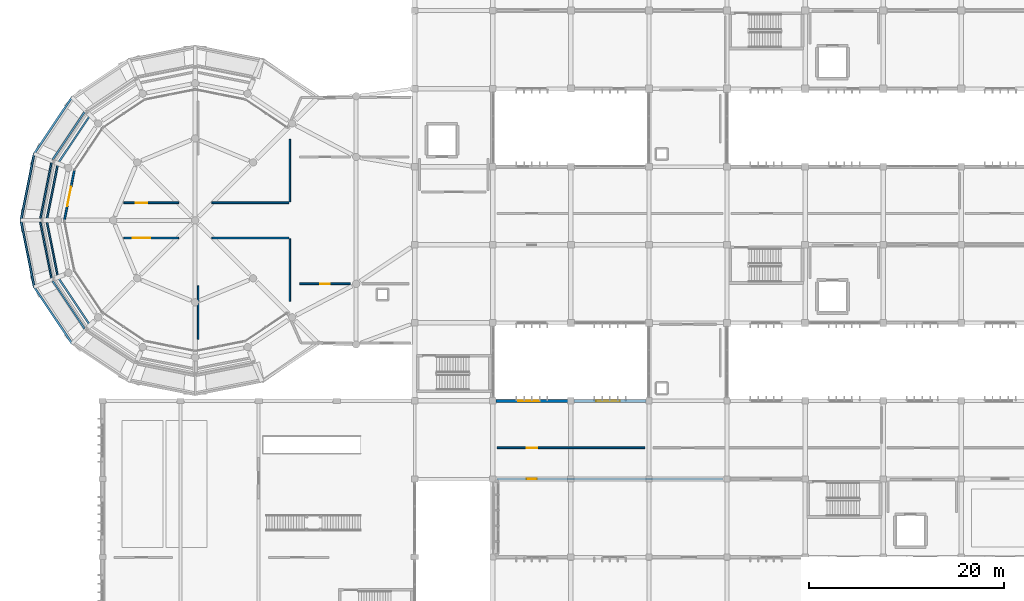
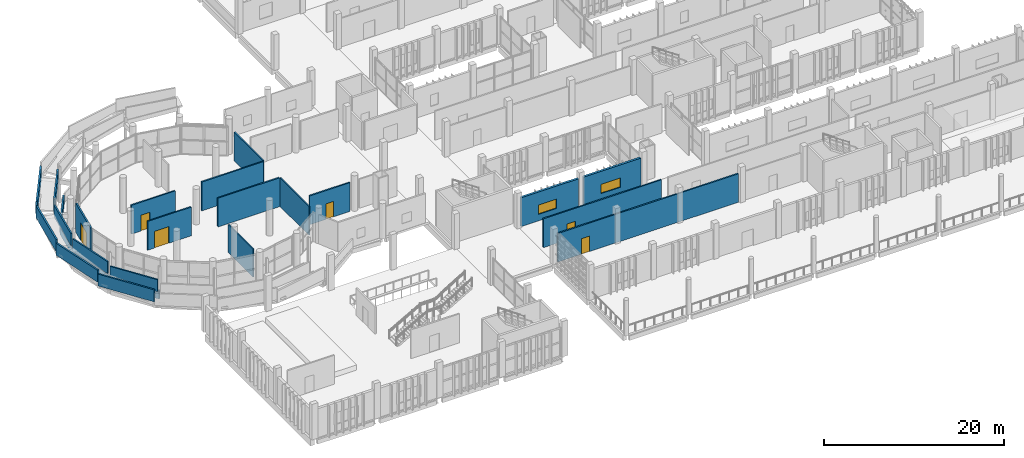
# One storey, part 78 of 106: 25 walls, 6 doors, 2 windows, 8 openings.
"""IFC4 building model written with IfcOpenShell, lengths in metres."""

from ifc_helpers import new_model, si_unit, direction, frame, frame_2d, origin, place, context, subcontext, project, spatial, rectangle, extrude, material, layer, layer_set, type_object, element, fill, save


model = new_model("IFC4")

# Units and contexts
model_context = context("Model", 3, precision=1e-05, world=origin(), true_north=direction((0.0, 1.0)))
body_context = subcontext(model_context, "Body", "Model", "MODEL_VIEW")
ifc_project = project(units=[si_unit("LENGTHUNIT", "METRE"), si_unit("AREAUNIT", "SQUARE_METRE"), si_unit("VOLUMEUNIT", "CUBIC_METRE"), si_unit("PLANEANGLEUNIT", "RADIAN"), si_unit("MASSUNIT", "GRAM", prefix="KILO")], contexts=[model_context])

# Site, building, storey
site_placement = place(None, origin())
site = spatial("IfcSite", under=ifc_project, at=site_placement, CompositionType="ELEMENT")
building_placement = place(site_placement, origin())
building = spatial("IfcBuilding", under=site, at=building_placement, Name="Jelvoka-Kovrelna Polytechnic", CompositionType="ELEMENT")
storey_placement = place(building_placement, frame((0.0, 0.0, 4.800048828125)))
storey = spatial("IfcBuildingStorey", under=building, at=storey_placement, Name="L02", CompositionType="ELEMENT", Elevation=4.800048828125)

# Wall, opening, door
ifc_material_1 = material(Name="Autoclaved aerated concrete blockwork", Category="masonry")
ifc_layer_1 = layer(ifc_material_1, 0.179931640625)
ifc_layer_set_1 = layer_set([ifc_layer_1], Name="Autoclaved aerated concrete blockwork")
wall_type_1 = type_object("IfcWallType", Name="Wall_Corridor_180", PredefinedType="PARTITIONING", material=ifc_layer_set_1)
wall_1_placement = place(storey_placement, frame((56.429931640625, 16.0, 0.0), z_axis=(0.0, 0.0, 1.0), x_axis=(1.0, 0.0, 0.0)))
wall_1 = element("IfcWall", 1, at=wall_1_placement, inside=storey, type_object=wall_type_1, Name="L02 interior wall 0946", PredefinedType="PARTITIONING", context=body_context, shape_type="SweptSolid", body=[
    extrude(rectangle(XDim=23.14013671875, YDim=0.179931640625, at=frame_2d((11.570068359375, 0.0))), origin(), (0.0, 0.0, 1.0), 3.85986328125),
])
opening_1_placement = place(wall_1_placement, frame((3.06005859375, 0.0, 0.0)))
opening_1 = element("IfcOpeningElement", 2, at=opening_1_placement, cuts=wall_1, Name="Opening D-L02-220", PredefinedType="OPENING", context=body_context, shape_type="SweptSolid", body=[
    extrude(rectangle(XDim=1.02001953125, YDim=2.10009765625, at=frame_2d((0.510009765625, 1.050048828125))), frame((0.0, 0.099853515625, 0.0), z_axis=(0.0, -1.0, 0.0), x_axis=(1.0, 0.0, 0.0)), (0.0, 0.0, 1.0), 0.199951171875),
])
ifc_material_2 = material(Name="Hardwood solid-core door", Category="wood")
door_type_1 = type_object("IfcDoorType", Name="Door_Int_D04", OperationType="NOTDEFINED", PredefinedType="DOOR", material=ifc_material_2)
door_1_placement = place(opening_1_placement, origin())
door_1 = element("IfcDoor", 3, at=door_1_placement, inside=storey, type_object=door_type_1, Name="L02 interior door D-L02-220", OperationType="SINGLE_SWING_LEFT", OverallHeight=2.10009765625, OverallWidth=1.02001953125, PredefinedType="DOOR", context=body_context, shape_type="SweptSolid", body=[
    extrude(rectangle(XDim=1.02001953125, YDim=2.10009765625, at=frame_2d((0.510009765625, 1.050048828125))), frame((0.0, 0.02490234375, 0.0), z_axis=(0.0, -1.0, 0.0), x_axis=(1.0, 0.0, 0.0)), (0.0, 0.0, 1.0), 0.050048828125),
])
fill(opening_1, door_1)

wall_2_placement = place(storey_placement, frame((56.429931640625, 19.199951171875, 0.0), z_axis=(0.0, 0.0, 1.0), x_axis=(1.0, 0.0, 0.0)))
wall_2 = element("IfcWall", 4, at=wall_2_placement, inside=storey, type_object=wall_type_1, Name="L02 interior wall 0952", PredefinedType="PARTITIONING", context=body_context, shape_type="SweptSolid", body=[
    extrude(rectangle(XDim=15.14013671875, YDim=0.179931640625, at=frame_2d((7.570068359375, 0.0))), origin(), (0.0, 0.0, 1.0), 3.89990234375),
])
opening_2_placement = place(wall_2_placement, frame((3.030029296875, 0.0, 0.0)))
opening_2 = element("IfcOpeningElement", 5, at=opening_2_placement, cuts=wall_2, Name="Opening D-L02-225", PredefinedType="OPENING", context=body_context, shape_type="SweptSolid", body=[
    extrude(rectangle(XDim=1.080078125, YDim=2.14990234375, at=frame_2d((0.5400390625, 1.074951171875))), frame((0.0, 0.099853515625, 0.0), z_axis=(0.0, -1.0, 0.0), x_axis=(1.0, 0.0, 0.0)), (0.0, 0.0, 1.0), 0.199951171875),
])
ifc_material_3 = material(Name="Hardwood acoustic seminar door", Category="wood")
door_type_2 = type_object("IfcDoorType", Name="Door_Int_D10", OperationType="NOTDEFINED", PredefinedType="DOOR", material=ifc_material_3)
door_2_placement = place(opening_2_placement, origin())
door_2 = element("IfcDoor", 6, at=door_2_placement, inside=storey, type_object=door_type_2, Name="L02 interior door D-L02-225", OperationType="SINGLE_SWING_RIGHT", OverallHeight=2.14990234375, OverallWidth=1.080078125, PredefinedType="DOOR", context=body_context, shape_type="SweptSolid", body=[
    extrude(rectangle(XDim=1.080078125, YDim=2.14990234375, at=frame_2d((0.5400390625, 1.074951171875))), frame((0.0, 0.02490234375, 0.0), z_axis=(0.0, -1.0, 0.0), x_axis=(1.0, 0.0, 0.0)), (0.0, 0.0, 1.0), 0.050048828125),
])
fill(opening_2, door_2)

wall_3_placement = place(storey_placement, frame((36.199951171875, 36.0, 0.0), z_axis=(0.0, 0.0, 1.0), x_axis=(1.0, 0.0, 0.0)))
wall_3 = element("IfcWall", 7, at=wall_3_placement, inside=storey, type_object=wall_type_1, Name="L02 interior wall 1013", PredefinedType="PARTITIONING", context=body_context, shape_type="SweptSolid", body=[
    extrude(rectangle(XDim=5.199951171875, YDim=0.179931640625, at=frame_2d((2.60009765625, 0.0))), origin(), (0.0, 0.0, 1.0), 3.89990234375),
])
opening_3_placement = place(wall_3_placement, frame((2.1298828125, 0.0, 0.0)))
opening_3 = element("IfcOpeningElement", 8, at=opening_3_placement, cuts=wall_3, Name="Opening D-L02-266", PredefinedType="OPENING", context=body_context, shape_type="SweptSolid", body=[
    extrude(rectangle(XDim=0.93994140625, YDim=2.10009765625, at=frame_2d((0.469970703125, 1.050048828125))), frame((0.0, 0.099853515625, 0.0), z_axis=(0.0, -1.0, 0.0), x_axis=(1.0, 0.0, 0.0)), (0.0, 0.0, 1.0), 0.199951171875),
])
ifc_material_4 = material(Name="Hardwood solid-core door", Category="wood")
door_type_3 = type_object("IfcDoorType", Name="Door_Int_D02", OperationType="NOTDEFINED", PredefinedType="DOOR", material=ifc_material_4)
door_3_placement = place(opening_3_placement, origin())
door_3 = element("IfcDoor", 9, at=door_3_placement, inside=storey, type_object=door_type_3, Name="L02 interior door D-L02-266", OperationType="SINGLE_SWING_LEFT", OverallHeight=2.10009765625, OverallWidth=0.93994140625, PredefinedType="DOOR", context=body_context, shape_type="SweptSolid", body=[
    extrude(rectangle(XDim=0.93994140625, YDim=2.10009765625, at=frame_2d((0.469970703125, 1.050048828125))), frame((0.0, 0.02490234375, 0.0), z_axis=(0.0, -1.0, 0.0), x_axis=(1.0, 0.0, 0.0)), (0.0, 0.0, 1.0), 0.050048828125),
])
fill(opening_3, door_3)

# Wall
wall_4_placement = place(storey_placement, frame((27.199951171875, 40.699951171875, 0.0), z_axis=(0.0, 0.0, 1.0), x_axis=(1.0, 0.0, 0.0)))
element("IfcWall", 10, at=wall_4_placement, inside=storey, type_object=wall_type_1, Name="L02 interior wall 1017", PredefinedType="PARTITIONING", context=body_context, shape_type="SweptSolid", body=[
    extrude(rectangle(XDim=7.900146484375, YDim=0.179931640625, at=frame_2d((3.9501953125, 0.0))), origin(), (0.0, 0.0, 1.0), 3.89990234375),
])

# Wall, opening, door
wall_5_placement = place(storey_placement, frame((18.199951171875, 40.699951171875, 0.0), z_axis=(0.0, 0.0, 1.0), x_axis=(1.0, 0.0, 0.0)))
wall_5 = element("IfcWall", 11, at=wall_5_placement, inside=storey, type_object=wall_type_1, Name="L02 interior wall 1019", PredefinedType="PARTITIONING", context=body_context, shape_type="SweptSolid", body=[
    extrude(rectangle(XDim=5.60009765625, YDim=0.179931640625, at=frame_2d((2.800048828125, 0.0))), origin(), (0.0, 0.0, 1.0), 3.89990234375),
])
opening_4_placement = place(wall_5_placement, frame((0.889892578125, 0.0, 0.0)))
opening_4 = element("IfcOpeningElement", 12, at=opening_4_placement, cuts=wall_5, Name="Opening D-L02-268", PredefinedType="OPENING", context=body_context, shape_type="SweptSolid", body=[
    extrude(rectangle(XDim=1.820068359375, YDim=2.25, at=frame_2d((0.91015625, 1.125))), frame((0.0, 0.099853515625, 0.0), z_axis=(0.0, -1.0, 0.0), x_axis=(1.0, 0.0, 0.0)), (0.0, 0.0, 1.0), 0.199951171875),
])
ifc_material_5 = material(Name="Paired hardwood fire-resisting assembly door", Category="wood")
door_type_4 = type_object("IfcDoorType", Name="Door_Fire_FD30_10", OperationType="NOTDEFINED", PredefinedType="DOOR", material=ifc_material_5)
door_4_placement = place(opening_4_placement, origin())
door_4 = element("IfcDoor", 13, at=door_4_placement, inside=storey, type_object=door_type_4, Name="L02 interior door D-L02-268", OperationType="DOUBLE_DOOR_SINGLE_SWING", OverallHeight=2.25, OverallWidth=1.820068359375, PredefinedType="DOOR", context=body_context, shape_type="SweptSolid", body=[
    extrude(rectangle(XDim=1.820068359375, YDim=2.25, at=frame_2d((0.91015625, 1.125))), frame((0.0, 0.02490234375, 0.0), z_axis=(0.0, -1.0, 0.0), x_axis=(1.0, 0.0, 0.0)), (0.0, 0.0, 1.0), 0.050048828125),
])
fill(opening_4, door_4)

# Wall
wall_6_placement = place(storey_placement, frame((27.199951171875, 44.300048828125, 0.0), z_axis=(0.0, 0.0, 1.0), x_axis=(1.0, 0.0, 0.0)))
element("IfcWall", 14, at=wall_6_placement, inside=storey, type_object=wall_type_1, Name="L02 interior wall 1020", PredefinedType="PARTITIONING", context=body_context, shape_type="SweptSolid", body=[
    extrude(rectangle(XDim=7.900146484375, YDim=0.179931640625, at=frame_2d((3.9501953125, 0.0))), origin(), (0.0, 0.0, 1.0), 3.89990234375),
])

# Wall, opening, door
wall_7_placement = place(storey_placement, frame((18.199951171875, 44.300048828125, 0.0), z_axis=(0.0, 0.0, 1.0), x_axis=(1.0, 0.0, 0.0)))
wall_7 = element("IfcWall", 15, at=wall_7_placement, inside=storey, type_object=wall_type_1, Name="L02 interior wall 1022", PredefinedType="PARTITIONING", context=body_context, shape_type="SweptSolid", body=[
    extrude(rectangle(XDim=5.60009765625, YDim=0.179931640625, at=frame_2d((2.800048828125, 0.0))), origin(), (0.0, 0.0, 1.0), 3.89990234375),
])
opening_5_placement = place(wall_7_placement, frame((1.22998046875, 0.0, 0.0)))
opening_5 = element("IfcOpeningElement", 16, at=opening_5_placement, cuts=wall_7, Name="Opening D-L02-269", PredefinedType="OPENING", context=body_context, shape_type="SweptSolid", body=[
    extrude(rectangle(XDim=1.139892578125, YDim=2.14990234375, at=frame_2d((0.56982421875, 1.074951171875))), frame((0.0, 0.099853515625, 0.0), z_axis=(0.0, -1.0, 0.0), x_axis=(1.0, 0.0, 0.0)), (0.0, 0.0, 1.0), 0.199951171875),
])
ifc_material_6 = material(Name="Laboratory vision-panel door", Category="wood")
door_type_5 = type_object("IfcDoorType", Name="Door_Int_D11", OperationType="NOTDEFINED", PredefinedType="DOOR", material=ifc_material_6)
door_5_placement = place(opening_5_placement, origin())
door_5 = element("IfcDoor", 17, at=door_5_placement, inside=storey, type_object=door_type_5, Name="L02 interior door D-L02-269", OperationType="SINGLE_SWING_LEFT", OverallHeight=2.14990234375, OverallWidth=1.139892578125, PredefinedType="DOOR", context=body_context, shape_type="SweptSolid", body=[
    extrude(rectangle(XDim=1.139892578125, YDim=2.14990234375, at=frame_2d((0.56982421875, 1.074951171875))), frame((0.0, 0.02490234375, 0.0), z_axis=(0.0, -1.0, 0.0), x_axis=(1.0, 0.0, 0.0)), (0.0, 0.0, 1.0), 0.050048828125),
])
fill(opening_5, door_5)

ifc_material_7 = material(Name="Precast concrete C40/50", Category="concrete")
ifc_layer_2 = layer(ifc_material_7, 0.18505859375)
ifc_layer_set_2 = layer_set([ifc_layer_2], Name="Precast concrete C40/50")
wall_type_2 = type_object("IfcWallType", Name="Wall_Ext_White_260", PredefinedType="STANDARD", material=ifc_layer_set_2)
wall_8_placement = place(storey_placement, frame((12.10009765625, 42.5, 0.0), z_axis=(0.0, 0.0, 1.0), x_axis=(0.195092326952, 0.980784881595, 0.0)))
wall_8 = element("IfcWall", 18, at=wall_8_placement, inside=storey, type_object=wall_type_2, Name="L02 exterior wall 0975", PredefinedType="STANDARD", context=body_context, shape_type="SweptSolid", body=[
    extrude(rectangle(XDim=5.228515625, YDim=0.18505859375, at=frame_2d((2.6142578125, 0.0))), origin(), (0.0, 0.0, 1.0), 3.949951171875),
])
opening_6_placement = place(wall_8_placement, frame((1.5, 0.0, 0.0)))
opening_6 = element("IfcOpeningElement", 19, at=opening_6_placement, cuts=wall_8, Name="Opening E-L02-031", PredefinedType="OPENING", context=body_context, shape_type="SweptSolid", body=[
    extrude(rectangle(XDim=2.0, YDim=2.39990234375, at=frame_2d((1.0, 1.199951171875))), frame((0.0, 0.1025390625, 0.0), z_axis=(0.0, -1.0, 0.0), x_axis=(1.0, 0.0, 0.0)), (0.0, 0.0, 1.0), 0.205078125),
])
ifc_material_8 = material(Name="Powder-coated aluminium and laminated safety glass", Category="aluminium")
door_type_6 = type_object("IfcDoorType", Name="Door_Ext_Exit_2000x2400", OperationType="NOTDEFINED", PredefinedType="DOOR", material=ifc_material_8)
door_6_placement = place(opening_6_placement, origin())
door_6 = element("IfcDoor", 20, at=door_6_placement, inside=storey, type_object=door_type_6, Name="L02 exterior door E-L02-031", OperationType="DOUBLE_DOOR_SINGLE_SWING", OverallHeight=2.39990234375, OverallWidth=2.0, PredefinedType="DOOR", context=body_context, shape_type="SweptSolid", body=[
    extrude(rectangle(XDim=2.0, YDim=2.39990234375, at=frame_2d((1.0, 1.199951171875))), frame((0.0, 0.02490234375, 0.0), z_axis=(0.0, -1.0, 0.0), x_axis=(1.0, 0.0, 0.0)), (0.0, 0.0, 1.0), 0.050048828125),
])
fill(opening_6, door_6)

# Wall, opening, window
ifc_material_9 = material(Name="Precast concrete C40/50", Category="concrete")
ifc_layer_3 = layer(ifc_material_9, 0.280029296875)
ifc_layer_set_3 = layer_set([ifc_layer_3], Name="Precast concrete C40/50")
wall_type_3 = type_object("IfcWallType", Name="Wall_Ext_White_280", PredefinedType="STANDARD", material=ifc_layer_set_3)
wall_9_placement = place(storey_placement, frame((56.322021484375, 24.0, 0.0), z_axis=(0.0, 0.0, 1.0), x_axis=(1.0, 0.0, 0.0)))
wall_9 = element("IfcWall", 21, at=wall_9_placement, inside=storey, type_object=wall_type_3, Name="L02 exterior wall 0257", PredefinedType="STANDARD", context=body_context, shape_type="SweptSolid", body=[
    extrude(rectangle(XDim=7.35595703125, YDim=0.280029296875, at=frame_2d((3.677978515625, 0.0))), origin(), (0.0, 0.0, 1.0), 3.909912109375),
])
opening_7_placement = place(wall_9_placement, frame((2.258056640625, 0.0, 0.89990234375)))
opening_7 = element("IfcOpeningElement", 22, at=opening_7_placement, cuts=wall_9, Name="Opening W-L02-023", PredefinedType="OPENING", context=body_context, shape_type="SweptSolid", body=[
    extrude(rectangle(XDim=2.25, YDim=1.25, at=frame_2d((1.125, 0.625))), frame((0.0, 0.150146484375, 0.0), z_axis=(0.0, -1.0, 0.0), x_axis=(1.0, 0.0, 0.0)), (0.0, 0.0, 1.0), 0.300048828125),
])
ifc_material_10 = material(Name="Thermally broken anodised aluminium and low-e glazing", Category="aluminium")
window_type_1 = type_object("IfcWindowType", Name="Win_Casement_W07", PartitioningType="DOUBLE_PANEL_VERTICAL", PredefinedType="WINDOW", material=ifc_material_10)
window_1_placement = place(opening_7_placement, origin())
window_1 = element("IfcWindow", 23, at=window_1_placement, inside=storey, type_object=window_type_1, Name="L02 aluminium casement window W-L02-023", OverallHeight=1.25, OverallWidth=2.25, PartitioningType="DOUBLE_PANEL_VERTICAL", PredefinedType="WINDOW", context=body_context, shape_type="SweptSolid", body=[
    extrude(rectangle(XDim=2.25, YDim=1.25, at=frame_2d((1.125, 0.625))), frame((0.0, 0.030029296875, 0.0), z_axis=(0.0, -1.0, 0.0), x_axis=(1.0, 0.0, 0.0)), (0.0, 0.0, 1.0), 0.06005859375),
])
fill(opening_7, window_1)

wall_10_placement = place(storey_placement, frame((64.322021484375, 24.0, 0.0), z_axis=(0.0, 0.0, 1.0), x_axis=(1.0, 0.0, 0.0)))
wall_10 = element("IfcWall", 24, at=wall_10_placement, inside=storey, type_object=wall_type_3, Name="L02 exterior wall 0259", PredefinedType="STANDARD", context=body_context, shape_type="SweptSolid", body=[
    extrude(rectangle(XDim=7.35595703125, YDim=0.280029296875, at=frame_2d((3.677978515625, 0.0))), origin(), (0.0, 0.0, 1.0), 3.909912109375),
])
opening_8_placement = place(wall_10_placement, frame((2.258056640625, 0.0, 0.89990234375)))
opening_8 = element("IfcOpeningElement", 25, at=opening_8_placement, cuts=wall_10, Name="Opening W-L02-025", PredefinedType="OPENING", context=body_context, shape_type="SweptSolid", body=[
    extrude(rectangle(XDim=2.449951171875, YDim=1.25, at=frame_2d((1.22509765625, 0.625))), frame((0.0, 0.150146484375, 0.0), z_axis=(0.0, -1.0, 0.0), x_axis=(1.0, 0.0, 0.0)), (0.0, 0.0, 1.0), 0.300048828125),
])
ifc_material_11 = material(Name="Thermally broken anodised aluminium and low-e glazing", Category="aluminium")
window_type_2 = type_object("IfcWindowType", Name="Win_Casement_W08", PartitioningType="DOUBLE_PANEL_VERTICAL", PredefinedType="WINDOW", material=ifc_material_11)
window_2_placement = place(opening_8_placement, origin())
window_2 = element("IfcWindow", 26, at=window_2_placement, inside=storey, type_object=window_type_2, Name="L02 aluminium casement window W-L02-025", OverallHeight=1.25, OverallWidth=2.449951171875, PartitioningType="DOUBLE_PANEL_VERTICAL", PredefinedType="WINDOW", context=body_context, shape_type="SweptSolid", body=[
    extrude(rectangle(XDim=2.449951171875, YDim=1.25, at=frame_2d((1.22509765625, 0.625))), frame((0.0, 0.030029296875, 0.0), z_axis=(0.0, -1.0, 0.0), x_axis=(1.0, 0.0, 0.0)), (0.0, 0.0, 1.0), 0.06005859375),
])
fill(opening_8, window_2)

# Walls
ifc_material_12 = material(Name="Precast concrete C40/50", Category="concrete")
ifc_layer_4 = layer(ifc_material_12, 0.179931640625)
ifc_layer_set_4 = layer_set([ifc_layer_4], Name="Precast concrete C40/50")
wall_type_4 = type_object("IfcWallType", Name="Wall_Parapet_180", PredefinedType="PARAPET", material=ifc_layer_set_4)
for number, where, z_axis, x_axis, name in (
    (27, (14.64892578125, 53.129150390625, 0.0), (0.0, 0.0, 1.0), (-0.555552261158, -0.831481620435, 0.0), "L02 exterior wall 0968"),
    (28, (11.407470703125, 48.16748046875, 0.0), (0.0, 0.0, 1.0), (-0.19510490813, -0.980782378932, 0.0), "L02 exterior wall 0969"),
    (29, (10.311279296875, 42.343017578125, 0.0), (0.0, 0.0, 1.0), (0.19510490813, -0.980782378932, 0.0), "L02 exterior wall 0970"),
    (30, (11.527587890625, 36.54248046875, 0.0), (0.0, 0.0, 1.0), (0.555552261158, -0.831481620435, 0.0), "L02 exterior wall 0971"),
):
    element("IfcWall", number, at=place(storey_placement, frame(where, z_axis=z_axis, x_axis=x_axis)), inside=storey, type_object=wall_type_4, Name=name, PredefinedType="PARAPET", context=body_context, shape_type="SweptSolid", body=[
        extrude(rectangle(XDim=5.618408203125, YDim=0.179931640625, at=frame_2d((2.80908203125, 0.0))), origin(), (0.0, 0.0, 1.0), 1.14990234375),
    ])
wall_11_placement = place(storey_placement, frame((14.168212890625, 31.389892578125, 1.449951171875), z_axis=(0.0, 0.0, 1.0), x_axis=(-0.555580797046, 0.831462553548, 0.0)))
element("IfcWall", 31, at=wall_11_placement, inside=storey, type_object=wall_type_4, Name="L02 exterior wall 1066", PredefinedType="PARAPET", context=body_context, shape_type="SweptSolid", body=[
    extrude(rectangle(XDim=5.884033203125, YDim=0.179931640625, at=frame_2d((2.94189453125, 0.0))), origin(), (0.0, 0.0, 1.0), 1.6201171875),
])
for number, where, z_axis, x_axis, name in (
    (32, (10.779052734375, 36.572265625, 1.929931640625), (0.0, 0.0, 1.0), (-0.195102630459, 0.980782832021, 0.0), "L02 exterior wall 1068"),
    (33, (9.631103515625, 42.656982421875, 2.409912109375), (0.0, 0.0, 1.0), (0.195102630459, 0.980782832021, 0.0), "L02 exterior wall 1070"),
):
    element("IfcWall", number, at=place(storey_placement, frame(where, z_axis=z_axis, x_axis=x_axis)), inside=storey, type_object=wall_type_4, Name=name, PredefinedType="PARAPET", context=body_context, shape_type="SweptSolid", body=[
        extrude(rectangle(XDim=5.8837890625, YDim=0.179931640625, at=frame_2d((2.94189453125, 0.0))), origin(), (0.0, 0.0, 1.0), 1.6201171875),
    ])
wall_12_placement = place(storey_placement, frame((10.899169921875, 48.7177734375, 2.889892578125), z_axis=(0.0, 0.0, 1.0), x_axis=(0.555580797046, 0.831462553548, 0.0)))
element("IfcWall", 34, at=wall_12_placement, inside=storey, type_object=wall_type_4, Name="L02 exterior wall 1072", PredefinedType="PARAPET", context=body_context, shape_type="SweptSolid", body=[
    extrude(rectangle(XDim=5.884033203125, YDim=0.179931640625, at=frame_2d((2.94189453125, 0.0))), origin(), (0.0, 0.0, 1.0), 1.6201171875),
])
ifc_material_13 = material(Name="Precast concrete C40/50", Category="concrete")
ifc_layer_5 = layer(ifc_material_13, 0.199951171875)
ifc_layer_set_5 = layer_set([ifc_layer_5], Name="Precast concrete C40/50")
wall_type_5 = type_object("IfcWallType", Name="Wall_Parapet_200", PredefinedType="PARAPET", material=ifc_layer_set_5)
wall_13_placement = place(storey_placement, frame((12.878173828125, 29.878173828125, 1.449951171875), z_axis=(0.0, 0.0, 1.0), x_axis=(-0.555565451838, 0.831472806966, 0.0)))
element("IfcWall", 35, at=wall_13_placement, inside=storey, type_object=wall_type_5, Name="L02 exterior wall 1065", PredefinedType="PARAPET", context=body_context, shape_type="SweptSolid", body=[
    extrude(rectangle(XDim=6.96484375, YDim=0.199951171875, at=frame_2d((3.482421875, 0.0))), origin(), (0.0, 0.0, 1.0), 1.6201171875),
])
for number, where, z_axis, x_axis, name in (
    (36, (9.0087890625, 35.669189453125, 1.929931640625), (0.0, 0.0, 1.0), (-0.19511159502, 0.9807810487, 0.0), "L02 exterior wall 1067"),
    (37, (7.64990234375, 42.5, 2.409912109375), (0.0, 0.0, 1.0), (0.19511159502, 0.9807810487, 0.0), "L02 exterior wall 1069"),
):
    element("IfcWall", number, at=place(storey_placement, frame(where, z_axis=z_axis, x_axis=x_axis)), inside=storey, type_object=wall_type_5, Name=name, PredefinedType="PARAPET", context=body_context, shape_type="SweptSolid", body=[
        extrude(rectangle(XDim=6.964599609375, YDim=0.199951171875, at=frame_2d((3.482421875, 0.0))), origin(), (0.0, 0.0, 1.0), 1.6201171875),
    ])
wall_14_placement = place(storey_placement, frame((9.0087890625, 49.330810546875, 2.889892578125), z_axis=(0.0, 0.0, 1.0), x_axis=(0.555565451838, 0.831472806966, 0.0)))
element("IfcWall", 38, at=wall_14_placement, inside=storey, type_object=wall_type_5, Name="L02 exterior wall 1071", PredefinedType="PARAPET", context=body_context, shape_type="SweptSolid", body=[
    extrude(rectangle(XDim=6.96484375, YDim=0.199951171875, at=frame_2d((3.482421875, 0.0))), origin(), (0.0, 0.0, 1.0), 1.6201171875),
])
ifc_material_14 = material(Name="Autoclaved aerated concrete blockwork", Category="masonry")
ifc_layer_6 = layer(ifc_material_14, 0.14990234375)
ifc_layer_set_6 = layer_set([ifc_layer_6], Name="Autoclaved aerated concrete blockwork")
wall_type_6 = type_object("IfcWallType", Name="Wall_Partition_150", PredefinedType="PARTITIONING", material=ifc_layer_set_6)
wall_15_placement = place(storey_placement, frame((25.800048828125, 30.300048828125, 0.0), z_axis=(0.0, 0.0, 1.0), x_axis=(0.0, 1.0, 0.0)))
element("IfcWall", 39, at=wall_15_placement, inside=storey, type_object=wall_type_6, Name="L02 interior wall 1012", PredefinedType="PARTITIONING", context=body_context, shape_type="SweptSolid", body=[
    extrude(rectangle(XDim=5.5, YDim=0.14990234375, at=frame_2d((2.75, 0.0))), origin(), (0.0, 0.0, 1.0), 3.77490234375),
])
for number, where, z_axis, x_axis, name in (
    (40, (35.199951171875, 34.199951171875, 0.0), (0.0, 0.0, 1.0), (0.0, 1.0, 0.0), "L02 interior wall 1018"),
    (41, (35.199951171875, 44.39990234375, 0.0), (0.0, 0.0, 1.0), (0.0, 1.0, 0.0), "L02 interior wall 1021"),
):
    element("IfcWall", number, at=place(storey_placement, frame(where, z_axis=z_axis, x_axis=x_axis)), inside=storey, type_object=wall_type_6, Name=name, PredefinedType="PARTITIONING", context=body_context, shape_type="SweptSolid", body=[
        extrude(rectangle(XDim=6.400146484375, YDim=0.14990234375, at=frame_2d((3.2001953125, 0.0))), origin(), (0.0, 0.0, 1.0), 3.89990234375),
    ])

save(model, "model.ifc")
